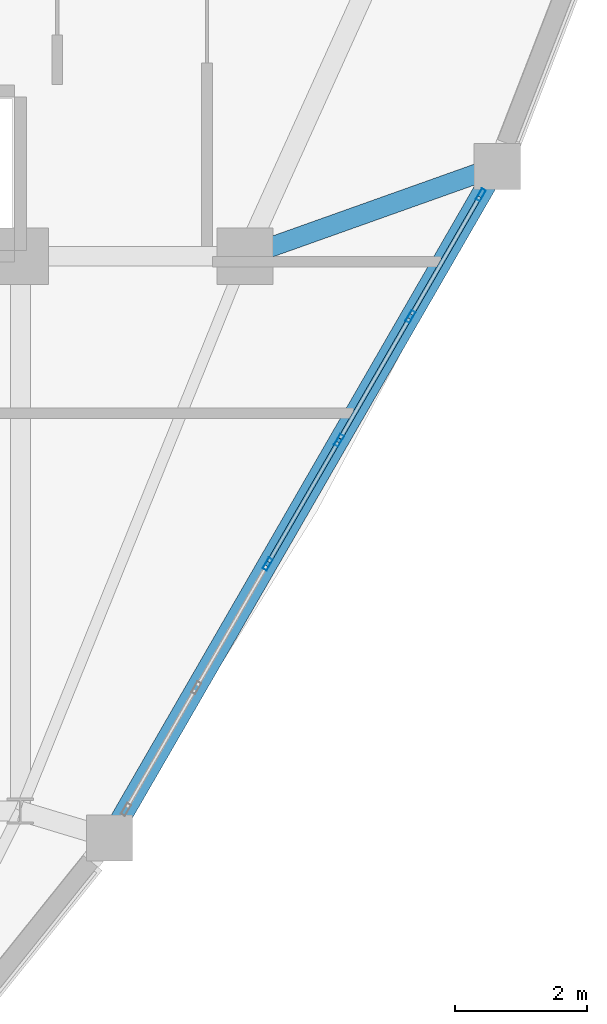
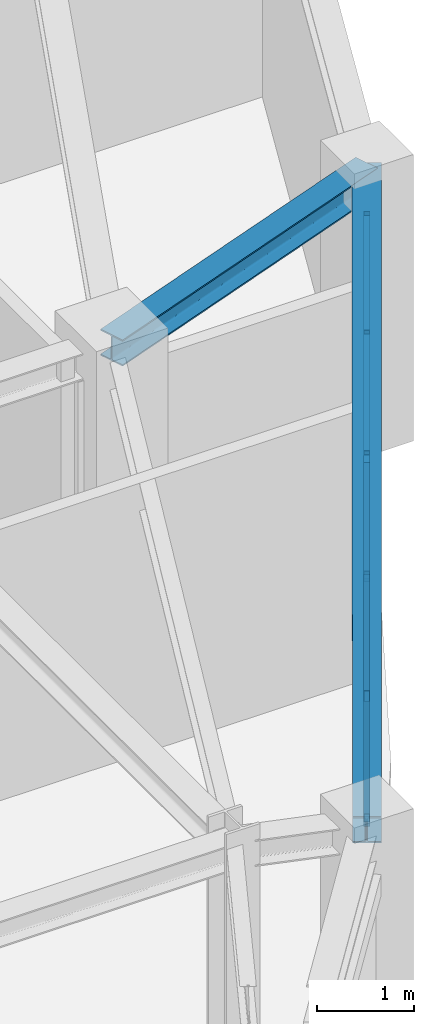
# One storey, part 7 of 15: 11 members, 2 beams, 1 element without a shape of its own.
"""IFC4 building model written with IfcOpenShell, lengths in metres."""

from ifc_helpers import new_model, si_unit, derived_unit, direction, frame, origin, origin_2d, place, context, subcontext, project, spatial, hollow_rectangle, i_section, extrude, source, transform, mapped, material, layer, layer_set, material_profile, profile_set, type_object, element, aggregate, save


model = new_model("IFC4")

# Units and contexts
model_context = context("Model", 3, precision=1e-05, world=origin(), true_north=direction((0.0, 1.0)))
body_context = subcontext(model_context, "Body", "Model", "MODEL_VIEW")
ifc_project = project(units=[si_unit("LENGTHUNIT", "METRE"), si_unit("AREAUNIT", "SQUARE_METRE"), si_unit("VOLUMEUNIT", "CUBIC_METRE"), si_unit("PLANEANGLEUNIT", "RADIAN"), si_unit("MASSUNIT", "GRAM", prefix="KILO"), derived_unit("THERMALTRANSMITTANCEUNIT", [(si_unit("POWERUNIT", "WATT"), 1), (si_unit("LENGTHUNIT", "METRE"), -2), (si_unit("THERMODYNAMICTEMPERATUREUNIT", "KELVIN"), -1)])], contexts=[model_context])

# Site, building, storey
site_placement = place(None, origin())
site = spatial("IfcSite", under=ifc_project, at=site_placement, CompositionType="ELEMENT")
building_placement = place(site_placement, origin())
building = spatial("IfcBuilding", under=site, at=building_placement, Name="Korsvarv Bourse and Concert Hall", CompositionType="ELEMENT")
storey_placement = place(building_placement, frame((0.0, 0.0, 268.199951171875)))
storey = spatial("IfcBuildingStorey", under=building, at=storey_placement, Name="L70", CompositionType="ELEMENT", Elevation=268.199951171875)

# Beams
ifc_material_1 = material(Name="Steel S355", Category="steel")
ifc_material_profile_1 = material_profile(ifc_material_1, i_section(OverallWidth=0.300048828125, OverallDepth=0.330078125, WebThickness=0.009521484375, FlangeThickness=0.0166015625, FilletRadius=0.02099609375, at=origin_2d()), Name="HEA 340")
ifc_profile_set_1 = profile_set([ifc_material_profile_1], Name="Steel S355")
beam_type = type_object("IfcBeamType", Name="BM-HEA340", PredefinedType="BEAM", material=ifc_profile_set_1)
shared_shape_1 = source(origin(), body_context, "Body", "SweptSolid", [
    extrude(i_section(OverallWidth=0.300048828125, OverallDepth=0.330078125, WebThickness=0.009521484375, FlangeThickness=0.0166015625, FilletRadius=0.02099609375, at=origin_2d()), origin(), (0.0, 0.0, 1.0), 11.739013671875),
])
beam_1_placement = place(storey_placement, frame((45.749755859375, 23.593505859375, 3.2451171875), z_axis=(0.499993096883, 0.866029389264, 0.0), x_axis=(-0.866029389264, 0.499993096883, 0.0)))
element("IfcBeam", 1, at=beam_1_placement, inside=storey, type_object=beam_type, Name="L70 beam B-12", PredefinedType="BEAM", context=body_context, shape_type="MappedRepresentation", body=[
    mapped(shared_shape_1, transform((0.0, 0.0, 0.0), scale=1.0)),
])
shared_shape_2 = source(origin(), body_context, "Body", "SweptSolid", [
    extrude(i_section(OverallWidth=0.300048828125, OverallDepth=0.330078125, WebThickness=0.009521484375, FlangeThickness=0.0166015625, FilletRadius=0.02099609375, at=origin_2d()), origin(), (0.0, 0.0, 1.0), 4.053955078125),
])
beam_2_placement = place(storey_placement, frame((51.619140625, 33.759765625, 3.2451171875), z_axis=(-0.94206167273, -0.335439718539, 0.0), x_axis=(0.335439718539, -0.94206167273, 0.0)))
element("IfcBeam", 2, at=beam_2_placement, inside=storey, type_object=beam_type, Name="L70 beam B-12", PredefinedType="BEAM", context=body_context, shape_type="MappedRepresentation", body=[
    mapped(shared_shape_2, transform((0.0, 0.0, 0.0), scale=1.0)),
])

# Curtain wall, members
ifc_material_2 = material(Name="Anodised aluminium and triple low-E glazing", Category="glass")
ifc_layer = layer(ifc_material_2, 0.199951171875)
ifc_layer_set = layer_set([ifc_layer], Name="Anodised aluminium and triple low-E glazing")
curtain_wall_type = type_object("IfcCurtainWallType", Name="CW-SYS-3", PredefinedType="NOTDEFINED", material=ifc_layer_set)
curtain_wall_placement = place(storey_placement, origin())
curtain_wall = element("IfcCurtainWall", 3, at=curtain_wall_placement, inside=storey, type_object=curtain_wall_type, Name="L70 CW3 curtain wall CW-L70-F11", PredefinedType="NOTDEFINED")
ifc_material_3 = material(Name="Extruded aluminium EN AW-6063 T66", Category="aluminium")
ifc_material_profile_2 = material_profile(ifc_material_3, hollow_rectangle(XDim=0.070068359375, YDim=0.18994140625, WallThickness=0.0048828125, at=origin_2d()), Name="ALU-M 70x190")
ifc_profile_set_2 = profile_set([ifc_material_profile_2], Name="Extruded aluminium EN AW-6063 T66")
member_type_1 = type_object("IfcMemberType", Name="CWM-190", PredefinedType="MULLION", material=ifc_profile_set_2)
shared_shape_3 = source(origin(), body_context, "Body", "SweptSolid", [
    extrude(hollow_rectangle(XDim=0.070068359375, YDim=0.18994140625, WallThickness=0.0048828125, at=origin_2d()), origin(), (0.0, 0.0, 1.0), 3.080078125),
])
member_1_placement = place(storey_placement, frame((48.143798828125, 27.739990234375, 0.0), z_axis=(0.0, 0.0, 1.0), x_axis=(-0.866022834448, 0.500004450195, 0.0)))
member_1 = element("IfcMember", 4, at=member_1_placement, type_object=member_type_1, Name="CW3 mullion 3", PredefinedType="MULLION", context=body_context, shape_type="MappedRepresentation", body=[
    mapped(shared_shape_3, transform((0.0, 0.0, 0.0), scale=1.0)),
])
member_2_placement = place(storey_placement, frame((49.225341796875, 29.61328125, 0.0), z_axis=(0.0, 0.0, 1.0), x_axis=(-0.866022834448, 0.500004450195, 0.0)))
member_2 = element("IfcMember", 5, at=member_2_placement, type_object=member_type_1, Name="CW3 mullion 4", PredefinedType="MULLION", context=body_context, shape_type="MappedRepresentation", body=[
    mapped(shared_shape_3, transform((0.0, 0.0, 0.0), scale=1.0)),
])
member_3_placement = place(storey_placement, frame((50.306640625, 31.486572265625, 0.0), z_axis=(0.0, 0.0, 1.0), x_axis=(-0.866022834448, 0.500004450195, 0.0)))
member_3 = element("IfcMember", 6, at=member_3_placement, type_object=member_type_1, Name="CW3 mullion 5", PredefinedType="MULLION", context=body_context, shape_type="MappedRepresentation", body=[
    mapped(shared_shape_3, transform((0.0, 0.0, 0.0), scale=1.0)),
])
member_4_placement = place(storey_placement, frame((51.370849609375, 33.32958984375, 0.0), z_axis=(0.0, 0.0, 1.0), x_axis=(-0.866022834448, 0.500004450195, 0.0)))
member_4 = element("IfcMember", 7, at=member_4_placement, type_object=member_type_1, Name="CW3 mullion 6", PredefinedType="MULLION", context=body_context, shape_type="MappedRepresentation", body=[
    mapped(shared_shape_3, transform((0.0, 0.0, 0.0), scale=1.0)),
])
ifc_material_profile_3 = material_profile(ifc_material_3, hollow_rectangle(XDim=0.06494140625, YDim=0.139892578125, WallThickness=0.00390625, at=origin_2d()), Name="ALU-T 65x140")
ifc_profile_set_3 = profile_set([ifc_material_profile_3], Name="Extruded aluminium EN AW-6063 T66")
member_type_2 = type_object("IfcMemberType", Name="CWT-140", PredefinedType="USERDEFINED", material=ifc_profile_set_3)
shared_shape_4 = source(origin(), body_context, "Body", "SweptSolid", [
    extrude(hollow_rectangle(XDim=0.06494140625, YDim=0.139892578125, WallThickness=0.00390625, at=origin_2d()), origin(), (0.0, 0.0, 1.0), 2.057861328125),
])
member_5_placement = place(storey_placement, frame((50.32421875, 31.516845703125, 0.032470703125), z_axis=(0.500030520673, 0.866007781949, 0.0), x_axis=(-0.866007781949, 0.500030520673, 0.0)))
member_5 = element("IfcMember", 8, at=member_5_placement, type_object=member_type_2, Name="CW3 transom 5.1", ObjectType="TRANSOM", PredefinedType="USERDEFINED", context=body_context, shape_type="MappedRepresentation", body=[
    mapped(shared_shape_4, transform((0.0, 0.0, 0.0), scale=1.0)),
])
member_6_placement = place(storey_placement, frame((50.32421875, 31.516845703125, 3.047607421875), z_axis=(0.500030520673, 0.866007781949, 0.0), x_axis=(-0.866007781949, 0.500030520673, 0.0)))
member_6 = element("IfcMember", 9, at=member_6_placement, type_object=member_type_2, Name="CW3 transom 5.2", ObjectType="TRANSOM", PredefinedType="USERDEFINED", context=body_context, shape_type="MappedRepresentation", body=[
    mapped(shared_shape_4, transform((0.0, 0.0, 0.0), scale=1.0)),
])
shared_shape_5 = source(origin(), body_context, "Body", "SweptSolid", [
    extrude(hollow_rectangle(XDim=0.06494140625, YDim=0.139892578125, WallThickness=0.00390625, at=origin_2d()), origin(), (0.0, 0.0, 1.0), 2.09326171875),
])
member_7_placement = place(storey_placement, frame((48.1611328125, 27.770263671875, 0.032470703125), z_axis=(0.5000152428, 0.866016603171, 0.0), x_axis=(-0.866016603171, 0.5000152428, 0.0)))
member_7 = element("IfcMember", 10, at=member_7_placement, type_object=member_type_2, Name="CW3 transom 3.1", ObjectType="TRANSOM", PredefinedType="USERDEFINED", context=body_context, shape_type="MappedRepresentation", body=[
    mapped(shared_shape_5, transform((0.0, 0.0, 0.0), scale=1.0)),
])
member_8_placement = place(storey_placement, frame((48.1611328125, 27.770263671875, 3.047607421875), z_axis=(0.5000152428, 0.866016603171, 0.0), x_axis=(-0.866016603171, 0.5000152428, 0.0)))
member_8 = element("IfcMember", 11, at=member_8_placement, type_object=member_type_2, Name="CW3 transom 3.2", ObjectType="TRANSOM", PredefinedType="USERDEFINED", context=body_context, shape_type="MappedRepresentation", body=[
    mapped(shared_shape_5, transform((0.0, 0.0, 0.0), scale=1.0)),
])
member_9_placement = place(storey_placement, frame((49.24267578125, 29.6435546875, 0.032470703125), z_axis=(0.5000152428, 0.866016603171, 0.0), x_axis=(-0.866016603171, 0.5000152428, 0.0)))
member_9 = element("IfcMember", 12, at=member_9_placement, type_object=member_type_2, Name="CW3 transom 4.1", ObjectType="TRANSOM", PredefinedType="USERDEFINED", context=body_context, shape_type="MappedRepresentation", body=[
    mapped(shared_shape_5, transform((0.0, 0.0, 0.0), scale=1.0)),
])
member_10_placement = place(storey_placement, frame((49.24267578125, 29.6435546875, 3.047607421875), z_axis=(0.5000152428, 0.866016603171, 0.0), x_axis=(-0.866016603171, 0.5000152428, 0.0)))
member_10 = element("IfcMember", 13, at=member_10_placement, type_object=member_type_2, Name="CW3 transom 4.2", ObjectType="TRANSOM", PredefinedType="USERDEFINED", context=body_context, shape_type="MappedRepresentation", body=[
    mapped(shared_shape_5, transform((0.0, 0.0, 0.0), scale=1.0)),
])
ifc_material_profile_4 = material_profile(ifc_material_3, hollow_rectangle(XDim=0.06494140625, YDim=0.1650390625, WallThickness=0.0048828125, at=origin_2d()), Name="ALU-M 65x165")
ifc_profile_set_4 = profile_set([ifc_material_profile_4], Name="Extruded aluminium EN AW-6063 T66")
member_type_3 = type_object("IfcMemberType", Name="CWM-165", PredefinedType="MULLION", material=ifc_profile_set_4)
shared_shape_6 = source(origin(), body_context, "Body", "SweptSolid", [
    extrude(hollow_rectangle(XDim=0.06494140625, YDim=0.1650390625, WallThickness=0.0048828125, at=origin_2d()), origin(), (0.0, 0.0, 1.0), 3.617431640625),
])
member_11_placement = place(storey_placement, frame((48.1611328125, 27.770263671875, 0.06494140625), z_axis=(0.289337361704, 0.50112664116, 0.815570953775), x_axis=(-0.866016603171, 0.5000152428, 0.0)))
member_11 = element("IfcMember", 14, at=member_11_placement, type_object=member_type_3, Name="CW3 diagonal mullion 3", PredefinedType="MULLION", context=body_context, shape_type="MappedRepresentation", body=[
    mapped(shared_shape_6, transform((0.0, 0.0, 0.0), scale=1.0)),
])
aggregate(curtain_wall, [member_1, member_2, member_3, member_4, member_7, member_8, member_11, member_9, member_10, member_5, member_6])

save(model, "model.ifc")
